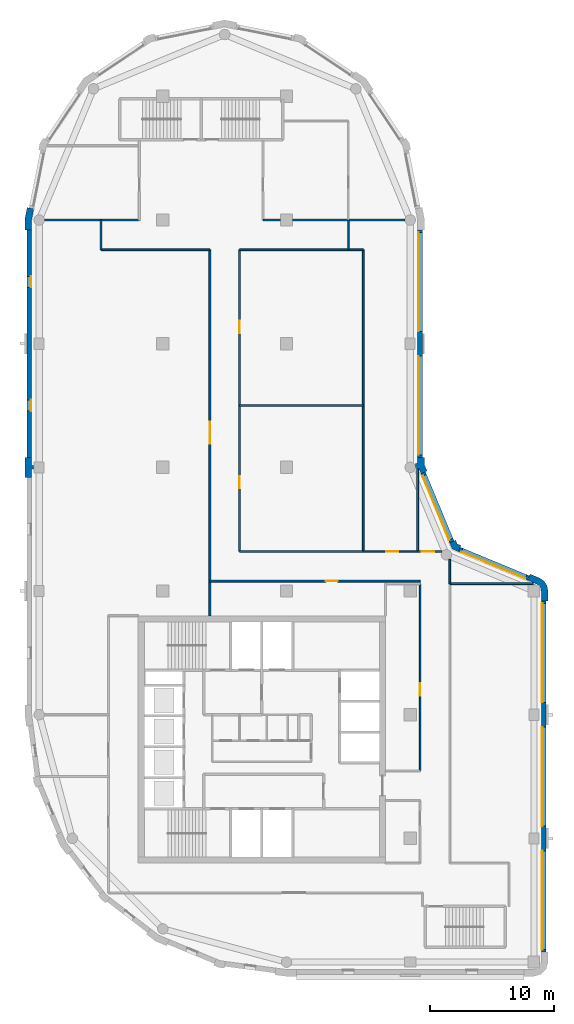
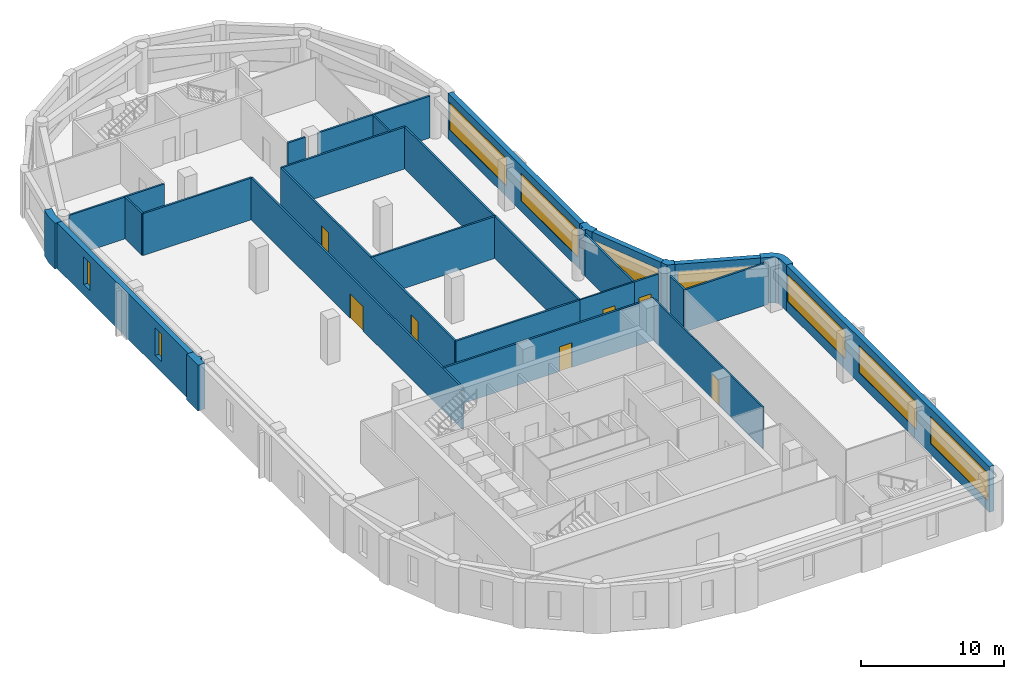
# One storey, part 4 of 8: 29 walls, 9 windows, 7 doors, 16 openings.
"""IFC4 building model written with IfcOpenShell, lengths in metres."""

from ifc_helpers import new_model, si_unit, direction, frame, frame_2d, origin, place, context, subcontext, project, spatial, polyline, rectangle, outline, extrude, material, layer, layer_set, type_object, element, fill, save


model = new_model("IFC4")

# Units and contexts
model_context = context("Model", 3, precision=1e-05, world=origin(), true_north=direction((0.0, 1.0)))
body_context = subcontext(model_context, "Body", "Model", "MODEL_VIEW")
ifc_project = project(units=[si_unit("LENGTHUNIT", "METRE"), si_unit("AREAUNIT", "SQUARE_METRE"), si_unit("VOLUMEUNIT", "CUBIC_METRE"), si_unit("PLANEANGLEUNIT", "RADIAN"), si_unit("MASSUNIT", "GRAM", prefix="KILO")], contexts=[model_context])

# Site, building, storey
site_placement = place(None, origin())
site = spatial("IfcSite", under=ifc_project, at=site_placement, CompositionType="ELEMENT")
building_placement = place(site_placement, origin())
building = spatial("IfcBuilding", under=site, at=building_placement, Name="Qaws Garden Tower", CompositionType="ELEMENT")
storey_placement = place(building_placement, frame((0.0, 0.0, 345.0)))
storey = spatial("IfcBuildingStorey", under=building, at=storey_placement, Name="L84", CompositionType="ELEMENT", Elevation=345.0)

# Wall
ifc_material_1 = material(Name="Clay facing brick masonry", Category="masonry")
ifc_layer_1 = layer(ifc_material_1, 0.550048828125)
ifc_layer_set_1 = layer_set([ifc_layer_1], Name="Clay facing brick masonry")
wall_type_1 = type_object("IfcWallType", Name="Brick corner pier 550 x 2400", PredefinedType="SOLIDWALL", material=ifc_layer_set_1)
placement = place(storey_placement, origin())
element("IfcWall", 1, at=placement, inside=storey, type_object=wall_type_1, Name="E-L84-pier-05", PredefinedType="SOLIDWALL", context=body_context, shape_type="SweptSolid", body=[
    extrude(outline(polyline([(41.0, 29.199951171875), (41.14990234375, 29.199951171875), (41.14990234375, 30.0), (41.0625, 30.440185546875), (40.813232421875, 30.813232421875), (40.440185546875, 31.0625), (39.700927734375, 31.36865234375), (39.6435546875, 31.22998046875), (39.490478515625, 30.860595703125), (40.2294921875, 30.554443359375), (40.42431640625, 30.42431640625), (40.554443359375, 30.2294921875), (40.60009765625, 30.0), (40.60009765625, 29.199951171875), (41.0, 29.199951171875)])), origin(), (0.0, 0.0, 1.0), 3.89990234375),
])

# Wall, openings, windows
ifc_material_2 = material(Name="Clay facing brick masonry", Category="masonry")
ifc_layer_2 = layer(ifc_material_2, 0.39990234375)
ifc_layer_set_2 = layer_set([ifc_layer_2], Name="Clay facing brick masonry")
wall_type_2 = type_object("IfcWallType", Name="Brick infill wall 400", PredefinedType="SOLIDWALL", material=ifc_layer_set_2)
wall_2_placement = place(storey_placement, frame((40.800048828125, 0.800048828125, 0.0), z_axis=(0.0, 0.0, 1.0), x_axis=(0.0, 1.0, 0.0)))
wall_2 = element("IfcWall", 2, at=wall_2_placement, inside=storey, type_object=wall_type_2, Name="E-L84-infill-02", PredefinedType="SOLIDWALL", context=body_context, shape_type="SweptSolid", body=[
    extrude(rectangle(XDim=28.39990234375, YDim=0.39990234375, at=frame_2d((14.199951171875, 0.0))), origin(), (0.0, 0.0, 1.0), 3.89990234375),
])
opening_1_placement = place(wall_2_placement, frame((0.199951171875, 0.0, 0.89990234375)))
opening_1 = element("IfcOpeningElement", 3, at=opening_1_placement, cuts=wall_2, Name="Opening W01", PredefinedType="OPENING", context=body_context, shape_type="SweptSolid", body=[
    extrude(rectangle(XDim=8.0, YDim=2.35009765625, at=frame_2d((4.0, 1.175048828125))), frame((0.0, 0.2099609375, 0.0), z_axis=(0.0, -1.0, 0.0), x_axis=(1.0, 0.0, 0.0)), (0.0, 0.0, 1.0), 0.419921875),
])
opening_2_placement = place(wall_2_placement, frame((10.199951171875, 0.0, 0.89990234375)))
opening_2 = element("IfcOpeningElement", 4, at=opening_2_placement, cuts=wall_2, Name="Opening W01", PredefinedType="OPENING", context=body_context, shape_type="SweptSolid", body=[
    extrude(rectangle(XDim=8.0, YDim=2.35009765625, at=frame_2d((4.0, 1.175048828125))), frame((0.0, 0.2099609375, 0.0), z_axis=(0.0, -1.0, 0.0), x_axis=(1.0, 0.0, 0.0)), (0.0, 0.0, 1.0), 0.419921875),
])
opening_3_placement = place(wall_2_placement, frame((20.199951171875, 0.0, 0.89990234375)))
opening_3 = element("IfcOpeningElement", 5, at=opening_3_placement, cuts=wall_2, Name="Opening W01", PredefinedType="OPENING", context=body_context, shape_type="SweptSolid", body=[
    extrude(rectangle(XDim=8.0, YDim=2.35009765625, at=frame_2d((4.0, 1.175048828125))), frame((0.0, 0.2099609375, 0.0), z_axis=(0.0, -1.0, 0.0), x_axis=(1.0, 0.0, 0.0)), (0.0, 0.0, 1.0), 0.419921875),
])
ifc_material_3 = material(Name="Aluminium framed window, clear glazing", Category="aluminium")
window_type_1 = type_object("IfcWindowType", Name="Ribbon window 8000 x 2350", PartitioningType="DOUBLE_PANEL_VERTICAL", PredefinedType="WINDOW", material=ifc_material_3)
window_1_placement = place(opening_1_placement, origin())
window_1 = element("IfcWindow", 6, at=window_1_placement, inside=storey, type_object=window_type_1, Name="E-L84-window-02-0", OverallHeight=2.35009765625, OverallWidth=8.0, PartitioningType="SINGLE_PANEL", PredefinedType="WINDOW", context=body_context, shape_type="SweptSolid", body=[
    extrude(rectangle(XDim=8.0, YDim=2.35009765625, at=frame_2d((4.0, 1.175048828125))), frame((0.0, 0.159912109375, 0.0), z_axis=(0.0, -1.0, 0.0), x_axis=(1.0, 0.0, 0.0)), (0.0, 0.0, 1.0), 0.06005859375),
])
fill(opening_1, window_1)
window_2_placement = place(opening_2_placement, origin())
window_2 = element("IfcWindow", 7, at=window_2_placement, inside=storey, type_object=window_type_1, Name="E-L84-window-03-0", OverallHeight=2.35009765625, OverallWidth=8.0, PartitioningType="SINGLE_PANEL", PredefinedType="WINDOW", context=body_context, shape_type="SweptSolid", body=[
    extrude(rectangle(XDim=8.0, YDim=2.35009765625, at=frame_2d((4.0, 1.175048828125))), frame((0.0, 0.159912109375, 0.0), z_axis=(0.0, -1.0, 0.0), x_axis=(1.0, 0.0, 0.0)), (0.0, 0.0, 1.0), 0.06005859375),
])
fill(opening_2, window_2)
window_3_placement = place(opening_3_placement, origin())
window_3 = element("IfcWindow", 8, at=window_3_placement, inside=storey, type_object=window_type_1, Name="E-L84-window-04-0", OverallHeight=2.35009765625, OverallWidth=8.0, PartitioningType="SINGLE_PANEL", PredefinedType="WINDOW", context=body_context, shape_type="SweptSolid", body=[
    extrude(rectangle(XDim=8.0, YDim=2.35009765625, at=frame_2d((4.0, 1.175048828125))), frame((0.0, 0.159912109375, 0.0), z_axis=(0.0, -1.0, 0.0), x_axis=(1.0, 0.0, 0.0)), (0.0, 0.0, 1.0), 0.06005859375),
])
fill(opening_3, window_3)

# Wall, opening, window
wall_3_placement = place(storey_placement, frame((39.56689453125, 31.04541015625, 0.0), z_axis=(0.0, 0.0, 1.0), x_axis=(-0.923891000409, 0.382655745237, 0.0)))
wall_3 = element("IfcWall", 9, at=wall_3_placement, inside=storey, type_object=wall_type_2, Name="E-L84-infill-05", PredefinedType="SOLIDWALL", context=body_context, shape_type="SweptSolid", body=[
    extrude(rectangle(XDim=6.053466796875, YDim=0.39990234375, at=frame_2d((3.02685546875, 0.0))), origin(), (0.0, 0.0, 1.0), 3.89990234375),
])
opening_4_placement = place(wall_3_placement, frame((0.226806640625, 0.0, 0.89990234375)))
opening_4 = element("IfcOpeningElement", 10, at=opening_4_placement, cuts=wall_3, Name="Opening W04", PredefinedType="OPENING", context=body_context, shape_type="SweptSolid", body=[
    extrude(rectangle(XDim=5.60009765625, YDim=2.35009765625, at=frame_2d((2.800048828125, 1.175048828125))), frame((0.0, 0.2099609375, 0.0), z_axis=(0.0, -1.0, 0.0), x_axis=(1.0, 0.0, 0.0)), (0.0, 0.0, 1.0), 0.419921875),
])
ifc_material_4 = material(Name="Aluminium framed window, clear glazing", Category="aluminium")
window_type_2 = type_object("IfcWindowType", Name="Ribbon window 5600 x 2350", PartitioningType="DOUBLE_PANEL_VERTICAL", PredefinedType="WINDOW", material=ifc_material_4)
window_4_placement = place(opening_4_placement, origin())
window_4 = element("IfcWindow", 11, at=window_4_placement, inside=storey, type_object=window_type_2, Name="E-L84-window-05-0", OverallHeight=2.35009765625, OverallWidth=5.60009765625, PartitioningType="SINGLE_PANEL", PredefinedType="WINDOW", context=body_context, shape_type="SweptSolid", body=[
    extrude(rectangle(XDim=5.60009765625, YDim=2.35009765625, at=frame_2d((2.800048828125, 1.175048828125))), frame((0.0, 0.159912109375, 0.0), z_axis=(0.0, -1.0, 0.0), x_axis=(1.0, 0.0, 0.0)), (0.0, 0.0, 1.0), 0.06005859375),
])
fill(opening_4, window_4)

wall_4_placement = place(storey_placement, frame((33.36181640625, 33.97412109375, 0.0), z_axis=(0.0, 0.0, 1.0), x_axis=(-0.382655745237, 0.923891000409, 0.0)))
wall_4 = element("IfcWall", 12, at=wall_4_placement, inside=storey, type_object=wall_type_2, Name="E-L84-infill-06", PredefinedType="SOLIDWALL", context=body_context, shape_type="SweptSolid", body=[
    extrude(rectangle(XDim=6.053466796875, YDim=0.39990234375, at=frame_2d((3.02685546875, 0.0))), origin(), (0.0, 0.0, 1.0), 3.89990234375),
])
opening_5_placement = place(wall_4_placement, frame((0.226806640625, 0.0, 0.89990234375)))
opening_5 = element("IfcOpeningElement", 13, at=opening_5_placement, cuts=wall_4, Name="Opening W04", PredefinedType="OPENING", context=body_context, shape_type="SweptSolid", body=[
    extrude(rectangle(XDim=5.60009765625, YDim=2.35009765625, at=frame_2d((2.800048828125, 1.175048828125))), frame((0.0, 0.2099609375, 0.0), z_axis=(0.0, -1.0, 0.0), x_axis=(1.0, 0.0, 0.0)), (0.0, 0.0, 1.0), 0.419921875),
])
window_5_placement = place(opening_5_placement, origin())
window_5 = element("IfcWindow", 14, at=window_5_placement, inside=storey, type_object=window_type_2, Name="E-L84-window-06-0", OverallHeight=2.35009765625, OverallWidth=5.60009765625, PartitioningType="SINGLE_PANEL", PredefinedType="WINDOW", context=body_context, shape_type="SweptSolid", body=[
    extrude(rectangle(XDim=5.60009765625, YDim=2.35009765625, at=frame_2d((2.800048828125, 1.175048828125))), frame((0.0, 0.159912109375, 0.0), z_axis=(0.0, -1.0, 0.0), x_axis=(1.0, 0.0, 0.0)), (0.0, 0.0, 1.0), 0.06005859375),
])
fill(opening_5, window_5)

# Wall, openings, windows
wall_5_placement = place(storey_placement, frame((30.800048828125, 40.800048828125, 0.0), z_axis=(0.0, 0.0, 1.0), x_axis=(0.0, 1.0, 0.0)))
wall_5 = element("IfcWall", 15, at=wall_5_placement, inside=storey, type_object=wall_type_2, Name="E-L84-infill-07", PredefinedType="SOLIDWALL", context=body_context, shape_type="SweptSolid", body=[
    extrude(rectangle(XDim=18.39990234375, YDim=0.39990234375, at=frame_2d((9.199951171875, 0.0))), origin(), (0.0, 0.0, 1.0), 3.89990234375),
])
opening_6_placement = place(wall_5_placement, frame((0.199951171875, 0.0, 0.89990234375)))
opening_6 = element("IfcOpeningElement", 16, at=opening_6_placement, cuts=wall_5, Name="Opening W01", PredefinedType="OPENING", context=body_context, shape_type="SweptSolid", body=[
    extrude(rectangle(XDim=8.0, YDim=2.35009765625, at=frame_2d((4.0, 1.175048828125))), frame((0.0, 0.2099609375, 0.0), z_axis=(0.0, -1.0, 0.0), x_axis=(1.0, 0.0, 0.0)), (0.0, 0.0, 1.0), 0.419921875),
])
opening_7_placement = place(wall_5_placement, frame((10.199951171875, 0.0, 0.89990234375)))
opening_7 = element("IfcOpeningElement", 17, at=opening_7_placement, cuts=wall_5, Name="Opening W01", PredefinedType="OPENING", context=body_context, shape_type="SweptSolid", body=[
    extrude(rectangle(XDim=8.0, YDim=2.35009765625, at=frame_2d((4.0, 1.175048828125))), frame((0.0, 0.2099609375, 0.0), z_axis=(0.0, -1.0, 0.0), x_axis=(1.0, 0.0, 0.0)), (0.0, 0.0, 1.0), 0.419921875),
])
window_6_placement = place(opening_6_placement, origin())
window_6 = element("IfcWindow", 18, at=window_6_placement, inside=storey, type_object=window_type_1, Name="E-L84-window-07-0", OverallHeight=2.35009765625, OverallWidth=8.0, PartitioningType="SINGLE_PANEL", PredefinedType="WINDOW", context=body_context, shape_type="SweptSolid", body=[
    extrude(rectangle(XDim=8.0, YDim=2.35009765625, at=frame_2d((4.0, 1.175048828125))), frame((0.0, 0.159912109375, 0.0), z_axis=(0.0, -1.0, 0.0), x_axis=(1.0, 0.0, 0.0)), (0.0, 0.0, 1.0), 0.06005859375),
])
fill(opening_6, window_6)
window_7_placement = place(opening_7_placement, origin())
window_7 = element("IfcWindow", 19, at=window_7_placement, inside=storey, type_object=window_type_1, Name="E-L84-window-08-0", OverallHeight=2.35009765625, OverallWidth=8.0, PartitioningType="SINGLE_PANEL", PredefinedType="WINDOW", context=body_context, shape_type="SweptSolid", body=[
    extrude(rectangle(XDim=8.0, YDim=2.35009765625, at=frame_2d((4.0, 1.175048828125))), frame((0.0, 0.159912109375, 0.0), z_axis=(0.0, -1.0, 0.0), x_axis=(1.0, 0.0, 0.0)), (0.0, 0.0, 1.0), 0.06005859375),
])
fill(opening_7, window_7)

wall_6_placement = place(storey_placement, frame((-0.800048828125, 59.199951171875, 0.0), z_axis=(0.0, 0.0, 1.0), x_axis=(0.0, -1.0, 0.0)))
wall_6 = element("IfcWall", 20, at=wall_6_placement, inside=storey, type_object=wall_type_2, Name="E-L84-infill-17", PredefinedType="SOLIDWALL", context=body_context, shape_type="SweptSolid", body=[
    extrude(rectangle(XDim=18.39990234375, YDim=0.39990234375, at=frame_2d((9.199951171875, 0.0))), origin(), (0.0, 0.0, 1.0), 3.89990234375),
])
opening_8_placement = place(wall_6_placement, frame((3.75, 0.0, 0.89990234375)))
opening_8 = element("IfcOpeningElement", 21, at=opening_8_placement, cuts=wall_6, Name="Opening W09", PredefinedType="OPENING", context=body_context, shape_type="SweptSolid", body=[
    extrude(rectangle(XDim=0.89990234375, YDim=2.35009765625, at=frame_2d((0.449951171875, 1.175048828125))), frame((0.0, 0.2099609375, 0.0), z_axis=(0.0, -1.0, 0.0), x_axis=(1.0, 0.0, 0.0)), (0.0, 0.0, 1.0), 0.419921875),
])
opening_9_placement = place(wall_6_placement, frame((13.75, 0.0, 0.89990234375)))
opening_9 = element("IfcOpeningElement", 22, at=opening_9_placement, cuts=wall_6, Name="Opening W09", PredefinedType="OPENING", context=body_context, shape_type="SweptSolid", body=[
    extrude(rectangle(XDim=0.89990234375, YDim=2.35009765625, at=frame_2d((0.449951171875, 1.175048828125))), frame((0.0, 0.2099609375, 0.0), z_axis=(0.0, -1.0, 0.0), x_axis=(1.0, 0.0, 0.0)), (0.0, 0.0, 1.0), 0.419921875),
])
ifc_material_5 = material(Name="Aluminium framed window, clear glazing", Category="aluminium")
window_type_3 = type_object("IfcWindowType", Name="Slit window 900 x 2350", PartitioningType="SINGLE_PANEL", PredefinedType="WINDOW", material=ifc_material_5)
window_8_placement = place(opening_8_placement, origin())
window_8 = element("IfcWindow", 23, at=window_8_placement, inside=storey, type_object=window_type_3, Name="E-L84-window-17-0", OverallHeight=2.35009765625, OverallWidth=0.89990234375, PartitioningType="SINGLE_PANEL", PredefinedType="WINDOW", context=body_context, shape_type="SweptSolid", body=[
    extrude(rectangle(XDim=0.89990234375, YDim=2.35009765625, at=frame_2d((0.449951171875, 1.175048828125))), frame((0.0, 0.159912109375, 0.0), z_axis=(0.0, -1.0, 0.0), x_axis=(1.0, 0.0, 0.0)), (0.0, 0.0, 1.0), 0.06005859375),
])
fill(opening_8, window_8)
window_9_placement = place(opening_9_placement, origin())
window_9 = element("IfcWindow", 24, at=window_9_placement, inside=storey, type_object=window_type_3, Name="E-L84-window-18-0", OverallHeight=2.35009765625, OverallWidth=0.89990234375, PartitioningType="SINGLE_PANEL", PredefinedType="WINDOW", context=body_context, shape_type="SweptSolid", body=[
    extrude(rectangle(XDim=0.89990234375, YDim=2.35009765625, at=frame_2d((0.449951171875, 1.175048828125))), frame((0.0, 0.159912109375, 0.0), z_axis=(0.0, -1.0, 0.0), x_axis=(1.0, 0.0, 0.0)), (0.0, 0.0, 1.0), 0.06005859375),
])
fill(opening_9, window_9)

# Walls
ifc_material_6 = material(Name="Clay facing brick masonry", Category="masonry")
ifc_layer_3 = layer(ifc_material_6, 0.550048828125)
ifc_layer_set_3 = layer_set([ifc_layer_3], Name="Clay facing brick masonry")
wall_type_3 = type_object("IfcWallType", Name="Brick pier 550 x 1600", PredefinedType="SOLIDWALL", material=ifc_layer_set_3)
element("IfcWall", 25, at=placement, inside=storey, type_object=wall_type_3, Name="E-L84-pier-06", PredefinedType="SOLIDWALL", context=body_context, shape_type="SweptSolid", body=[
    extrude(outline(polyline([(34.05078125, 33.546630859375), (34.108154296875, 33.685302734375), (33.80908203125, 33.80908203125), (33.685302734375, 34.108154296875), (33.546630859375, 34.05078125), (33.177001953125, 33.897705078125), (33.38818359375, 33.38818359375), (33.897705078125, 33.177001953125), (34.05078125, 33.546630859375)])), origin(), (0.0, 0.0, 1.0), 3.89990234375),
])
element("IfcWall", 26, at=placement, inside=storey, type_object=wall_type_3, Name="E-L84-pier-07", PredefinedType="SOLIDWALL", context=body_context, shape_type="SweptSolid", body=[
    extrude(outline(polyline([(30.6201171875, 39.995361328125), (30.6201171875, 40.071044921875), (30.860595703125, 39.490478515625), (31.22998046875, 39.6435546875), (31.36865234375, 39.700927734375), (31.14990234375, 40.228759765625), (31.14990234375, 40.800048828125), (31.0, 40.800048828125), (30.60009765625, 40.800048828125), (30.60009765625, 40.29541015625), (30.425048828125, 40.29541015625), (30.425048828125, 39.995361328125), (30.6201171875, 39.995361328125)])), origin(), (0.0, 0.0, 1.0), 3.89990234375),
])
element("IfcWall", 27, at=placement, inside=storey, type_object=wall_type_3, Name="E-L84-pier-17", PredefinedType="SOLIDWALL", context=body_context, shape_type="SweptSolid", body=[
    extrude(outline(polyline([(-0.82470703125, 60.979736328125), (-0.971923828125, 61.009033203125), (-1.14990234375, 60.11328125), (-1.14990234375, 59.199951171875), (-1.0, 59.199951171875), (-0.60009765625, 59.199951171875), (-0.60009765625, 60.05908203125), (-0.432373046875, 60.901611328125), (-0.82470703125, 60.979736328125)])), origin(), (0.0, 0.0, 1.0), 3.89990234375),
])
element("IfcWall", 28, at=placement, inside=storey, type_object=wall_type_3, Name="E-L84-pier-19", PredefinedType="SOLIDWALL", context=body_context, shape_type="SweptSolid", body=[
    extrude(outline(polyline([(-0.60009765625, 39.199951171875), (-0.60009765625, 39.85009765625), (-0.449951171875, 39.85009765625), (-0.449951171875, 40.14990234375), (-0.60009765625, 40.14990234375), (-0.60009765625, 40.800048828125), (-1.0, 40.800048828125), (-1.14990234375, 40.800048828125), (-1.14990234375, 40.0), (-1.14990234375, 39.199951171875), (-1.0, 39.199951171875), (-0.60009765625, 39.199951171875)])), origin(), (0.0, 0.0, 1.0), 3.89990234375),
])
ifc_material_7 = material(Name="Glass and aluminium framing", Category="aluminium")
ifc_layer_4 = layer(ifc_material_7, 0.1201171875)
ifc_layer_set_4 = layer_set([ifc_layer_4], Name="Glass and aluminium framing")
wall_type_4 = type_object("IfcWallType", Name="GLAZED PARTITION 120 EI 30", PredefinedType="PARTITIONING", material=ifc_layer_set_4)
wall_11_placement = place(storey_placement, frame((25.0, 57.60009765625, 0.0), z_axis=(0.0, 0.0, 1.0), x_axis=(0.0, 1.0, 0.0)))
element("IfcWall", 29, at=wall_11_placement, inside=storey, type_object=wall_type_4, Name="O-L84-wall-028", PredefinedType="PARTITIONING", context=body_context, shape_type="SweptSolid", body=[
    extrude(rectangle(XDim=2.39990234375, YDim=0.1201171875, at=frame_2d((1.199951171875, 0.0))), origin(), (0.0, 0.0, 1.0), 3.580078125),
])

# Wall, opening, door
wall_12_placement = place(storey_placement, frame((30.800048828125, 15.449951171875, 0.0), z_axis=(0.0, 0.0, 1.0), x_axis=(0.0, 1.0, 0.0)))
wall_12 = element("IfcWall", 30, at=wall_12_placement, inside=storey, type_object=wall_type_4, Name="O-L84-wall-030", PredefinedType="PARTITIONING", context=body_context, shape_type="SweptSolid", body=[
    extrude(rectangle(XDim=15.150146484375, YDim=0.1201171875, at=frame_2d((7.5751953125, 0.0))), origin(), (0.0, 0.0, 1.0), 3.580078125),
])
opening_10_placement = place(wall_12_placement, frame((6.10009765625, 0.0, 0.0)))
opening_10 = element("IfcOpeningElement", 31, at=opening_10_placement, cuts=wall_12, Name="Opening C1007", PredefinedType="OPENING", context=body_context, shape_type="SweptSolid", body=[
    extrude(rectangle(XDim=1.0, YDim=2.10009765625, at=frame_2d((0.5, 1.050048828125))), frame((0.0, 0.070068359375, 0.0), z_axis=(0.0, -1.0, 0.0), x_axis=(1.0, 0.0, 0.0)), (0.0, 0.0, 1.0), 0.14013671875),
])
ifc_material_8 = material(Name="Timber door leaf", Category="wood")
door_type_1 = type_object("IfcDoorType", Name="TENANCY ENTRANCE DOOR 1000 X 2100", OperationType="SINGLE_SWING_LEFT", PredefinedType="DOOR", material=ifc_material_8)
door_1_placement = place(opening_10_placement, origin())
door_1 = element("IfcDoor", 32, at=door_1_placement, inside=storey, type_object=door_type_1, Name="O-L84-door-007", OperationType="SINGLE_SWING_RIGHT", OverallHeight=2.10009765625, OverallWidth=1.0, PredefinedType="DOOR", context=body_context, shape_type="SweptSolid", body=[
    extrude(rectangle(XDim=1.0, YDim=2.10009765625, at=frame_2d((0.5, 1.050048828125))), frame((0.0, 0.02490234375, 0.0), z_axis=(0.0, -1.0, 0.0), x_axis=(1.0, 0.0, 0.0)), (0.0, 0.0, 1.0), 0.050048828125),
])
fill(opening_10, door_1)

wall_13_placement = place(storey_placement, frame((26.199951171875, 33.199951171875, 0.0), z_axis=(0.0, 0.0, 1.0), x_axis=(1.0, 0.0, 0.0)))
wall_13 = element("IfcWall", 33, at=wall_13_placement, inside=storey, type_object=wall_type_4, Name="O-L84-wall-039", PredefinedType="PARTITIONING", context=body_context, shape_type="SweptSolid", body=[
    extrude(rectangle(XDim=4.400146484375, YDim=0.1201171875, at=frame_2d((2.2001953125, 0.0))), origin(), (0.0, 0.0, 1.0), 3.580078125),
])
opening_11_placement = place(wall_13_placement, frame((1.85009765625, 0.0, 0.0)))
opening_11 = element("IfcOpeningElement", 34, at=opening_11_placement, cuts=wall_13, Name="Opening C1012", PredefinedType="OPENING", context=body_context, shape_type="SweptSolid", body=[
    extrude(rectangle(XDim=1.0, YDim=2.10009765625, at=frame_2d((0.5, 1.050048828125))), frame((0.0, 0.070068359375, 0.0), z_axis=(0.0, -1.0, 0.0), x_axis=(1.0, 0.0, 0.0)), (0.0, 0.0, 1.0), 0.14013671875),
])
door_2_placement = place(opening_11_placement, origin())
door_2 = element("IfcDoor", 35, at=door_2_placement, inside=storey, type_object=door_type_1, Name="O-L84-door-012", OperationType="SINGLE_SWING_RIGHT", OverallHeight=2.10009765625, OverallWidth=1.0, PredefinedType="DOOR", context=body_context, shape_type="SweptSolid", body=[
    extrude(rectangle(XDim=1.0, YDim=2.10009765625, at=frame_2d((0.5, 1.050048828125))), frame((0.0, 0.02490234375, 0.0), z_axis=(0.0, -1.0, 0.0), x_axis=(1.0, 0.0, 0.0)), (0.0, 0.0, 1.0), 0.050048828125),
])
fill(opening_11, door_2)

# Wall
ifc_material_9 = material(Name="Gypsum board partition")
ifc_layer_5 = layer(ifc_material_9, 0.14990234375)
ifc_layer_set_5 = layer_set([ifc_layer_5], Name="Gypsum board partition")
wall_type_5 = type_object("IfcWallType", Name="PARTITION 150 EI 60", PredefinedType="PARTITIONING", material=ifc_layer_set_5)
wall_14_placement = place(storey_placement, frame((5.0, 57.60009765625, 0.0), z_axis=(0.0, 0.0, 1.0), x_axis=(0.0, 1.0, 0.0)))
element("IfcWall", 36, at=wall_14_placement, inside=storey, type_object=wall_type_5, Name="O-L84-wall-003", PredefinedType="PARTITIONING", context=body_context, shape_type="SweptSolid", body=[
    extrude(rectangle(XDim=2.39990234375, YDim=0.14990234375, at=frame_2d((1.199951171875, 0.0))), origin(), (0.0, 0.0, 1.0), 3.580078125),
])

# Wall, opening, door
wall_15_placement = place(storey_placement, frame((13.800048828125, 28.0, 0.0), z_axis=(0.0, 0.0, 1.0), x_axis=(0.0, 1.0, 0.0)))
wall_15 = element("IfcWall", 37, at=wall_15_placement, inside=storey, type_object=wall_type_5, Name="O-L84-wall-006", PredefinedType="PARTITIONING", context=body_context, shape_type="SweptSolid", body=[
    extrude(rectangle(XDim=29.60009765625, YDim=0.14990234375, at=frame_2d((14.800048828125, 0.0))), origin(), (0.0, 0.0, 1.0), 3.580078125),
])
opening_12_placement = place(wall_15_placement, frame((13.90087890625, 0.0, 0.0)))
opening_12 = element("IfcOpeningElement", 38, at=opening_12_placement, cuts=wall_15, Name="Opening C1009", PredefinedType="OPENING", context=body_context, shape_type="SweptSolid", body=[
    extrude(rectangle(XDim=1.800048828125, YDim=2.10009765625, at=frame_2d((0.89990234375, 1.050048828125))), frame((0.0, 0.0849609375, 0.0), z_axis=(0.0, -1.0, 0.0), x_axis=(1.0, 0.0, 0.0)), (0.0, 0.0, 1.0), 0.169921875),
])
ifc_material_10 = material(Name="Timber door leaf", Category="wood")
door_type_2 = type_object("IfcDoorType", Name="DOUBLE DOOR 1800 X 2100", OperationType="DOUBLE_DOOR_SINGLE_SWING", PredefinedType="DOOR", material=ifc_material_10)
door_3_placement = place(opening_12_placement, origin())
door_3 = element("IfcDoor", 39, at=door_3_placement, inside=storey, type_object=door_type_2, Name="O-L84-door-009", OperationType="DOUBLE_DOOR_SINGLE_SWING", OverallHeight=2.10009765625, OverallWidth=1.800048828125, PredefinedType="DOOR", context=body_context, shape_type="SweptSolid", body=[
    extrude(rectangle(XDim=1.800048828125, YDim=2.10009765625, at=frame_2d((0.89990234375, 1.050048828125))), frame((0.0, 0.02490234375, 0.0), z_axis=(0.0, -1.0, 0.0), x_axis=(1.0, 0.0, 0.0)), (0.0, 0.0, 1.0), 0.050048828125),
])
fill(opening_12, door_3)

# Wall, openings, doors
wall_16_placement = place(storey_placement, frame((16.199951171875, 33.199951171875, 0.0), z_axis=(0.0, 0.0, 1.0), x_axis=(0.0, 1.0, 0.0)))
wall_16 = element("IfcWall", 40, at=wall_16_placement, inside=storey, type_object=wall_type_5, Name="O-L84-wall-007", PredefinedType="PARTITIONING", context=body_context, shape_type="SweptSolid", body=[
    extrude(rectangle(XDim=24.400146484375, YDim=0.14990234375, at=frame_2d((12.2001953125, 0.0))), origin(), (0.0, 0.0, 1.0), 3.580078125),
])
opening_13_placement = place(wall_16_placement, frame((5.10009765625, 0.0, 0.0)))
opening_13 = element("IfcOpeningElement", 41, at=opening_13_placement, cuts=wall_16, Name="Opening C1010", PredefinedType="OPENING", context=body_context, shape_type="SweptSolid", body=[
    extrude(rectangle(XDim=1.0, YDim=2.10009765625, at=frame_2d((0.5, 1.050048828125))), frame((0.0, 0.0849609375, 0.0), z_axis=(0.0, -1.0, 0.0), x_axis=(1.0, 0.0, 0.0)), (0.0, 0.0, 1.0), 0.169921875),
])
opening_14_placement = place(wall_16_placement, frame((17.64990234375, 0.0, 0.0)))
opening_14 = element("IfcOpeningElement", 42, at=opening_14_placement, cuts=wall_16, Name="Opening C1011", PredefinedType="OPENING", context=body_context, shape_type="SweptSolid", body=[
    extrude(rectangle(XDim=1.0, YDim=2.10009765625, at=frame_2d((0.5, 1.050048828125))), frame((0.0, 0.0849609375, 0.0), z_axis=(0.0, -1.0, 0.0), x_axis=(1.0, 0.0, 0.0)), (0.0, 0.0, 1.0), 0.169921875),
])
door_4_placement = place(opening_13_placement, frame((1.0, 0.0, 0.0), z_axis=(0.0, 0.0, 1.0), x_axis=(-1.0, 0.0, 0.0)))
door_4 = element("IfcDoor", 43, at=door_4_placement, inside=storey, type_object=door_type_1, Name="O-L84-door-010", OperationType="SINGLE_SWING_RIGHT", OverallHeight=2.10009765625, OverallWidth=1.0, PredefinedType="DOOR", context=body_context, shape_type="SweptSolid", body=[
    extrude(rectangle(XDim=1.0, YDim=2.10009765625, at=frame_2d((0.5, 1.050048828125))), frame((0.0, 0.02490234375, 0.0), z_axis=(0.0, -1.0, 0.0), x_axis=(1.0, 0.0, 0.0)), (0.0, 0.0, 1.0), 0.050048828125),
])
fill(opening_13, door_4)
door_5_placement = place(opening_14_placement, frame((1.0, 0.0, 0.0), z_axis=(0.0, 0.0, 1.0), x_axis=(-1.0, 0.0, 0.0)))
door_5 = element("IfcDoor", 44, at=door_5_placement, inside=storey, type_object=door_type_1, Name="O-L84-door-011", OperationType="SINGLE_SWING_RIGHT", OverallHeight=2.10009765625, OverallWidth=1.0, PredefinedType="DOOR", context=body_context, shape_type="SweptSolid", body=[
    extrude(rectangle(XDim=1.0, YDim=2.10009765625, at=frame_2d((0.5, 1.050048828125))), frame((0.0, 0.02490234375, 0.0), z_axis=(0.0, -1.0, 0.0), x_axis=(1.0, 0.0, 0.0)), (0.0, 0.0, 1.0), 0.050048828125),
])
fill(opening_14, door_5)

# Walls
wall_17_placement = place(storey_placement, frame((26.199951171875, 33.199951171875, 0.0), z_axis=(0.0, 0.0, 1.0), x_axis=(0.0, 1.0, 0.0)))
element("IfcWall", 45, at=wall_17_placement, inside=storey, type_object=wall_type_5, Name="O-L84-wall-009", PredefinedType="PARTITIONING", context=body_context, shape_type="SweptSolid", body=[
    extrude(rectangle(XDim=24.400146484375, YDim=0.14990234375, at=frame_2d((12.2001953125, 0.0))), origin(), (0.0, 0.0, 1.0), 3.580078125),
])
wall_18_placement = place(storey_placement, frame((30.60009765625, 33.199951171875, 0.0), z_axis=(0.0, 0.0, 1.0), x_axis=(0.0, 1.0, 0.0)))
element("IfcWall", 46, at=wall_18_placement, inside=storey, type_object=wall_type_5, Name="O-L84-wall-011", PredefinedType="PARTITIONING", context=body_context, shape_type="SweptSolid", body=[
    extrude(rectangle(XDim=6.73828125, YDim=0.14990234375, at=frame_2d((3.369140625, 0.0))), origin(), (0.0, 0.0, 1.0), 3.580078125),
])
wall_19_placement = place(storey_placement, frame((33.199951171875, 30.60009765625, 0.0), z_axis=(0.0, 0.0, 1.0), x_axis=(0.0, 1.0, 0.0)))
element("IfcWall", 47, at=wall_19_placement, inside=storey, type_object=wall_type_5, Name="O-L84-wall-012", PredefinedType="PARTITIONING", context=body_context, shape_type="SweptSolid", body=[
    extrude(rectangle(XDim=1.951904296875, YDim=0.14990234375, at=frame_2d((0.97607421875, 0.0))), origin(), (0.0, 0.0, 1.0), 3.580078125),
])
wall_20_placement = place(storey_placement, frame((33.199951171875, 30.60009765625, 0.0), z_axis=(0.0, 0.0, 1.0), x_axis=(1.0, 0.0, 0.0)))
element("IfcWall", 48, at=wall_20_placement, inside=storey, type_object=wall_type_5, Name="O-L84-wall-017", PredefinedType="PARTITIONING", context=body_context, shape_type="SweptSolid", body=[
    extrude(rectangle(XDim=6.73828125, YDim=0.14990234375, at=frame_2d((3.369140625, 0.0))), origin(), (0.0, 0.0, 1.0), 3.580078125),
])

# Wall, opening, door
wall_21_placement = place(storey_placement, frame((13.802001953125, 30.800048828125, 0.0), z_axis=(0.0, 0.0, 1.0), x_axis=(1.0, 0.0, 0.0)))
wall_21 = element("IfcWall", 49, at=wall_21_placement, inside=storey, type_object=wall_type_5, Name="O-L84-wall-018", PredefinedType="PARTITIONING", context=body_context, shape_type="SweptSolid", body=[
    extrude(rectangle(XDim=16.998046875, YDim=0.14990234375, at=frame_2d((8.4990234375, 0.0))), origin(), (0.0, 0.0, 1.0), 3.580078125),
])
opening_15_placement = place(wall_21_placement, frame((9.35009765625, 0.0, 0.0)))
opening_15 = element("IfcOpeningElement", 50, at=opening_15_placement, cuts=wall_21, Name="Opening C1005", PredefinedType="OPENING", context=body_context, shape_type="SweptSolid", body=[
    extrude(rectangle(XDim=1.0, YDim=2.10009765625, at=frame_2d((0.5, 1.050048828125))), frame((0.0, 0.0849609375, 0.0), z_axis=(0.0, -1.0, 0.0), x_axis=(1.0, 0.0, 0.0)), (0.0, 0.0, 1.0), 0.169921875),
])
door_6_placement = place(opening_15_placement, frame((1.0, 0.0, 0.0), z_axis=(0.0, 0.0, 1.0), x_axis=(-1.0, 0.0, 0.0)))
door_6 = element("IfcDoor", 51, at=door_6_placement, inside=storey, type_object=door_type_1, Name="O-L84-door-005", OperationType="SINGLE_SWING_LEFT", OverallHeight=2.10009765625, OverallWidth=1.0, PredefinedType="DOOR", context=body_context, shape_type="SweptSolid", body=[
    extrude(rectangle(XDim=1.0, YDim=2.10009765625, at=frame_2d((0.5, 1.050048828125))), frame((0.0, 0.02490234375, 0.0), z_axis=(0.0, -1.0, 0.0), x_axis=(1.0, 0.0, 0.0)), (0.0, 0.0, 1.0), 0.050048828125),
])
fill(opening_15, door_6)

# Wall
wall_22_placement = place(storey_placement, frame((16.199951171875, 33.199951171875, 0.0), z_axis=(0.0, 0.0, 1.0), x_axis=(1.0, 0.0, 0.0)))
element("IfcWall", 52, at=wall_22_placement, inside=storey, type_object=wall_type_5, Name="O-L84-wall-019", PredefinedType="PARTITIONING", context=body_context, shape_type="SweptSolid", body=[
    extrude(rectangle(XDim=10.0, YDim=0.14990234375, at=frame_2d((5.0, 0.0))), origin(), (0.0, 0.0, 1.0), 3.580078125),
])

# Wall, opening, door
wall_23_placement = place(storey_placement, frame((30.60009765625, 33.199951171875, 0.0), z_axis=(0.0, 0.0, 1.0), x_axis=(1.0, 0.0, 0.0)))
wall_23 = element("IfcWall", 53, at=wall_23_placement, inside=storey, type_object=wall_type_5, Name="O-L84-wall-020", PredefinedType="PARTITIONING", context=body_context, shape_type="SweptSolid", body=[
    extrude(rectangle(XDim=1.951904296875, YDim=0.14990234375, at=frame_2d((0.97607421875, 0.0))), origin(), (0.0, 0.0, 1.0), 3.580078125),
])
opening_16_placement = place(wall_23_placement, frame((0.35009765625, 0.0, 0.0)))
opening_16 = element("IfcOpeningElement", 54, at=opening_16_placement, cuts=wall_23, Name="Opening C1004", PredefinedType="OPENING", context=body_context, shape_type="SweptSolid", body=[
    extrude(rectangle(XDim=1.0, YDim=2.10009765625, at=frame_2d((0.5, 1.050048828125))), frame((0.0, 0.0849609375, 0.0), z_axis=(0.0, -1.0, 0.0), x_axis=(1.0, 0.0, 0.0)), (0.0, 0.0, 1.0), 0.169921875),
])
door_7_placement = place(opening_16_placement, origin())
door_7 = element("IfcDoor", 55, at=door_7_placement, inside=storey, type_object=door_type_1, Name="O-L84-door-004", OperationType="SINGLE_SWING_LEFT", OverallHeight=2.10009765625, OverallWidth=1.0, PredefinedType="DOOR", context=body_context, shape_type="SweptSolid", body=[
    extrude(rectangle(XDim=1.0, YDim=2.10009765625, at=frame_2d((0.5, 1.050048828125))), frame((0.0, 0.02490234375, 0.0), z_axis=(0.0, -1.0, 0.0), x_axis=(1.0, 0.0, 0.0)), (0.0, 0.0, 1.0), 0.050048828125),
])
fill(opening_16, door_7)

# Walls
wall_24_placement = place(storey_placement, frame((16.199951171875, 45.0, 0.0), z_axis=(0.0, 0.0, 1.0), x_axis=(1.0, 0.0, 0.0)))
element("IfcWall", 56, at=wall_24_placement, inside=storey, type_object=wall_type_5, Name="O-L84-wall-021", PredefinedType="PARTITIONING", context=body_context, shape_type="SweptSolid", body=[
    extrude(rectangle(XDim=10.0, YDim=0.14990234375, at=frame_2d((5.0, 0.0))), origin(), (0.0, 0.0, 1.0), 3.580078125),
])
wall_25_placement = place(storey_placement, frame((5.0, 57.60009765625, 0.0), z_axis=(0.0, 0.0, 1.0), x_axis=(1.0, 0.0, 0.0)))
element("IfcWall", 57, at=wall_25_placement, inside=storey, type_object=wall_type_5, Name="O-L84-wall-022", PredefinedType="PARTITIONING", context=body_context, shape_type="SweptSolid", body=[
    extrude(rectangle(XDim=8.800048828125, YDim=0.14990234375, at=frame_2d((4.39990234375, 0.0))), origin(), (0.0, 0.0, 1.0), 3.580078125),
])
wall_26_placement = place(storey_placement, frame((16.199951171875, 57.60009765625, 0.0), z_axis=(0.0, 0.0, 1.0), x_axis=(1.0, 0.0, 0.0)))
element("IfcWall", 58, at=wall_26_placement, inside=storey, type_object=wall_type_5, Name="O-L84-wall-023", PredefinedType="PARTITIONING", context=body_context, shape_type="SweptSolid", body=[
    extrude(rectangle(XDim=10.0, YDim=0.14990234375, at=frame_2d((5.0, 0.0))), origin(), (0.0, 0.0, 1.0), 3.580078125),
])
wall_27_placement = place(storey_placement, frame((0.425048828125, 60.0, 0.0), z_axis=(0.0, 0.0, 1.0), x_axis=(1.0, 0.0, 0.0)))
element("IfcWall", 59, at=wall_27_placement, inside=storey, type_object=wall_type_5, Name="O-L84-wall-024", PredefinedType="PARTITIONING", context=body_context, shape_type="SweptSolid", body=[
    extrude(rectangle(XDim=7.675048828125, YDim=0.14990234375, at=frame_2d((3.83740234375, 0.0))), origin(), (0.0, 0.0, 1.0), 3.580078125),
])
wall_28_placement = place(storey_placement, frame((18.10009765625, 60.0, 0.0), z_axis=(0.0, 0.0, 1.0), x_axis=(1.0, 0.0, 0.0)))
element("IfcWall", 60, at=wall_28_placement, inside=storey, type_object=wall_type_5, Name="O-L84-wall-025", PredefinedType="PARTITIONING", context=body_context, shape_type="SweptSolid", body=[
    extrude(rectangle(XDim=1.39990234375, YDim=0.14990234375, at=frame_2d((0.699951171875, 0.0))), origin(), (0.0, 0.0, 1.0), 3.580078125),
])
wall_29_placement = place(storey_placement, frame((20.5, 60.0, 0.0), z_axis=(0.0, 0.0, 1.0), x_axis=(1.0, 0.0, 0.0)))
element("IfcWall", 61, at=wall_29_placement, inside=storey, type_object=wall_type_5, Name="O-L84-wall-026", PredefinedType="PARTITIONING", context=body_context, shape_type="SweptSolid", body=[
    extrude(rectangle(XDim=9.074951171875, YDim=0.14990234375, at=frame_2d((4.53759765625, 0.0))), origin(), (0.0, 0.0, 1.0), 3.580078125),
])

save(model, "model.ifc")
